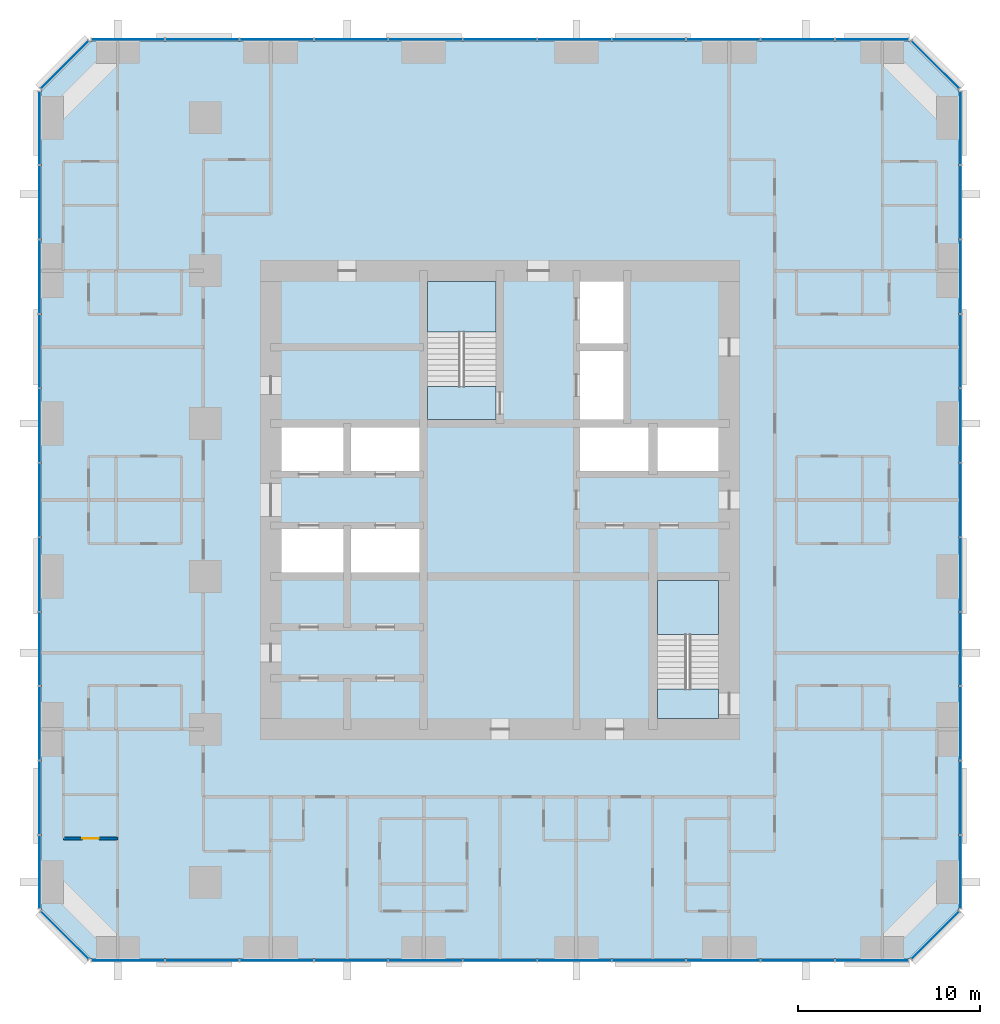
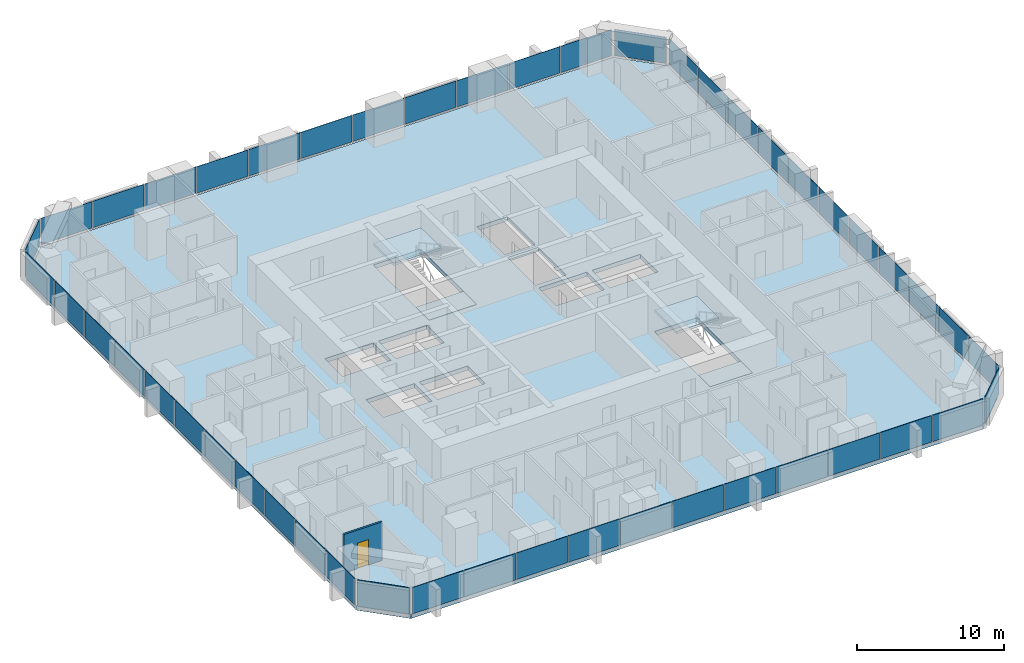
# One storey, part 7 of 13: 48 plates, 5 slabs, 1 door, 1 wall, 1 opening, 10 elements without a shape of their own.
"""IFC4 building model written with IfcOpenShell, lengths in metres."""

from ifc_helpers import new_model, si_unit, direction, frame, frame_2d, origin, origin_2d, place, context, subcontext, project, spatial, polyline, rectangle, outline, extrude, material, layer, layer_set, type_object, element, fill, aggregate, save


model = new_model("IFC4")

# Units and contexts
model_context = context("Model", 3, precision=1e-05, world=origin(), true_north=direction((0.0, 1.0)))
body_context = subcontext(model_context, "Body", "Model", "MODEL_VIEW")
ifc_project = project(units=[si_unit("LENGTHUNIT", "METRE"), si_unit("AREAUNIT", "SQUARE_METRE"), si_unit("VOLUMEUNIT", "CUBIC_METRE"), si_unit("PLANEANGLEUNIT", "RADIAN"), si_unit("MASSUNIT", "GRAM", prefix="KILO")], contexts=[model_context])

# Site, building, storey
site_placement = place(None, origin())
site = spatial("IfcSite", under=ifc_project, at=site_placement, CompositionType="ELEMENT")
building_placement = place(site_placement, origin())
building = spatial("IfcBuilding", under=site, at=building_placement, Name="Dunama Terrace Hotel", CompositionType="ELEMENT")
storey_placement = place(building_placement, frame((0.0, 0.0, 216.60009765625)))
storey = spatial("IfcBuildingStorey", under=building, at=storey_placement, Name="L56", CompositionType="ELEMENT", Elevation=216.60009765625)

# Curtain wall, plates
ifc_material_1 = material(Name="Aluminium curtain wall system", Category="aluminium")
curtain_wall_type = type_object("IfcCurtainWallType", Name="Unitised fritted glass wall CW-C", PredefinedType="NOTDEFINED", material=ifc_material_1)
curtain_wall_1_placement = place(storey_placement, origin())
curtain_wall_1 = element("IfcCurtainWall", 1, at=curtain_wall_1_placement, inside=storey, type_object=curtain_wall_type, Name="Unitised fritted glass wall CW-C L56", PredefinedType="NOTDEFINED")
ifc_material_2 = material(Name="Laminated glass", Category="glass")
ifc_layer_1 = layer(ifc_material_2, 0.031982421875)
ifc_layer_set_1 = layer_set([ifc_layer_1], Name="CWC clear glass panel")
plate_type_1 = type_object("IfcPlateType", Name="CWC clear glass panel", PredefinedType="CURTAIN_PANEL", material=ifc_layer_set_1)
plate_1_placement = place(storey_placement, frame((8.962890625, 4.10009765625, 0.080078125), z_axis=(0.0, 0.0, 1.0), x_axis=(1.0, 0.0, 0.0)))
plate_1 = element("IfcPlate", 2, at=plate_1_placement, type_object=plate_type_1, Name="CWC clear glass panel", PredefinedType="CURTAIN_PANEL", context=body_context, shape_type="SweptSolid", body=[
    extrude(rectangle(XDim=3.98583984375, YDim=0.031982421875, at=origin_2d()), origin(), (0.0, 0.0, 1.0), 2.198974609375),
])
plate_2_placement = place(storey_placement, frame((21.218017578125, 4.10009765625, 0.080078125), z_axis=(0.0, 0.0, 1.0), x_axis=(1.0, 0.0, 0.0)))
plate_2 = element("IfcPlate", 3, at=plate_2_placement, type_object=plate_type_1, Name="CWC clear glass panel", PredefinedType="CURTAIN_PANEL", context=body_context, shape_type="SweptSolid", body=[
    extrude(rectangle(XDim=4.02099609375, YDim=0.031982421875, at=origin_2d()), origin(), (0.0, 0.0, 1.0), 2.198974609375),
])
plate_3_placement = place(storey_placement, frame((33.490966796875, 4.10009765625, 0.080078125), z_axis=(0.0, 0.0, 1.0), x_axis=(1.0, 0.0, 0.0)))
plate_3 = element("IfcPlate", 4, at=plate_3_placement, type_object=plate_type_1, Name="CWC clear glass panel", PredefinedType="CURTAIN_PANEL", context=body_context, shape_type="SweptSolid", body=[
    extrude(rectangle(XDim=4.02099609375, YDim=0.031982421875, at=origin_2d()), origin(), (0.0, 0.0, 1.0), 2.198974609375),
])
plate_4_placement = place(storey_placement, frame((45.763916015625, 4.10009765625, 0.080078125), z_axis=(0.0, 0.0, 1.0), x_axis=(1.0, 0.0, 0.0)))
plate_4 = element("IfcPlate", 5, at=plate_4_placement, type_object=plate_type_1, Name="CWC clear glass panel", PredefinedType="CURTAIN_PANEL", context=body_context, shape_type="SweptSolid", body=[
    extrude(rectangle(XDim=4.02099609375, YDim=0.031982421875, at=origin_2d()), origin(), (0.0, 0.0, 1.0), 2.198974609375),
])

curtain_wall_2_placement = place(storey_placement, origin())
curtain_wall_2 = element("IfcCurtainWall", 6, at=curtain_wall_2_placement, inside=storey, type_object=curtain_wall_type, Name="Unitised fritted glass wall CW-C L56", PredefinedType="NOTDEFINED")
plate_5_placement = place(storey_placement, frame((54.699951171875, 8.962890625, 0.080078125), z_axis=(0.0, 0.0, 1.0), x_axis=(0.0, 1.0, 0.0)))
plate_5 = element("IfcPlate", 7, at=plate_5_placement, type_object=plate_type_1, Name="CWC clear glass panel", PredefinedType="CURTAIN_PANEL", context=body_context, shape_type="SweptSolid", body=[
    extrude(rectangle(XDim=3.98583984375, YDim=0.031982421875, at=origin_2d()), origin(), (0.0, 0.0, 1.0), 2.198974609375),
])
plate_6_placement = place(storey_placement, frame((54.699951171875, 21.218017578125, 0.080078125), z_axis=(0.0, 0.0, 1.0), x_axis=(0.0, 1.0, 0.0)))
plate_6 = element("IfcPlate", 8, at=plate_6_placement, type_object=plate_type_1, Name="CWC clear glass panel", PredefinedType="CURTAIN_PANEL", context=body_context, shape_type="SweptSolid", body=[
    extrude(rectangle(XDim=4.02099609375, YDim=0.031982421875, at=origin_2d()), origin(), (0.0, 0.0, 1.0), 2.198974609375),
])
plate_7_placement = place(storey_placement, frame((54.699951171875, 33.490966796875, 0.080078125), z_axis=(0.0, 0.0, 1.0), x_axis=(0.0, 1.0, 0.0)))
plate_7 = element("IfcPlate", 9, at=plate_7_placement, type_object=plate_type_1, Name="CWC clear glass panel", PredefinedType="CURTAIN_PANEL", context=body_context, shape_type="SweptSolid", body=[
    extrude(rectangle(XDim=4.02099609375, YDim=0.031982421875, at=origin_2d()), origin(), (0.0, 0.0, 1.0), 2.198974609375),
])
plate_8_placement = place(storey_placement, frame((54.699951171875, 45.763916015625, 0.080078125), z_axis=(0.0, 0.0, 1.0), x_axis=(0.0, 1.0, 0.0)))
plate_8 = element("IfcPlate", 10, at=plate_8_placement, type_object=plate_type_1, Name="CWC clear glass panel", PredefinedType="CURTAIN_PANEL", context=body_context, shape_type="SweptSolid", body=[
    extrude(rectangle(XDim=4.02099609375, YDim=0.031982421875, at=origin_2d()), origin(), (0.0, 0.0, 1.0), 2.198974609375),
])

curtain_wall_3_placement = place(storey_placement, origin())
curtain_wall_3 = element("IfcCurtainWall", 11, at=curtain_wall_3_placement, inside=storey, type_object=curtain_wall_type, Name="Unitised fritted glass wall CW-C L56", PredefinedType="NOTDEFINED")
plate_9_placement = place(storey_placement, frame((49.8369140625, 54.699951171875, 0.080078125), z_axis=(0.0, 0.0, 1.0), x_axis=(-1.0, 0.0, 0.0)))
plate_9 = element("IfcPlate", 12, at=plate_9_placement, type_object=plate_type_1, Name="CWC clear glass panel", PredefinedType="CURTAIN_PANEL", context=body_context, shape_type="SweptSolid", body=[
    extrude(rectangle(XDim=3.98583984375, YDim=0.031982421875, at=origin_2d()), origin(), (0.0, 0.0, 1.0), 2.198974609375),
])
plate_10_placement = place(storey_placement, frame((37.58203125, 54.699951171875, 0.080078125), z_axis=(0.0, 0.0, 1.0), x_axis=(-1.0, 0.0, 0.0)))
plate_10 = element("IfcPlate", 13, at=plate_10_placement, type_object=plate_type_1, Name="CWC clear glass panel", PredefinedType="CURTAIN_PANEL", context=body_context, shape_type="SweptSolid", body=[
    extrude(rectangle(XDim=4.02099609375, YDim=0.031982421875, at=origin_2d()), origin(), (0.0, 0.0, 1.0), 2.198974609375),
])
plate_11_placement = place(storey_placement, frame((25.30908203125, 54.699951171875, 0.080078125), z_axis=(0.0, 0.0, 1.0), x_axis=(-1.0, 0.0, 0.0)))
plate_11 = element("IfcPlate", 14, at=plate_11_placement, type_object=plate_type_1, Name="CWC clear glass panel", PredefinedType="CURTAIN_PANEL", context=body_context, shape_type="SweptSolid", body=[
    extrude(rectangle(XDim=4.02099609375, YDim=0.031982421875, at=origin_2d()), origin(), (0.0, 0.0, 1.0), 2.198974609375),
])
plate_12_placement = place(storey_placement, frame((13.035888671875, 54.699951171875, 0.080078125), z_axis=(0.0, 0.0, 1.0), x_axis=(-1.0, 0.0, 0.0)))
plate_12 = element("IfcPlate", 15, at=plate_12_placement, type_object=plate_type_1, Name="CWC clear glass panel", PredefinedType="CURTAIN_PANEL", context=body_context, shape_type="SweptSolid", body=[
    extrude(rectangle(XDim=4.02099609375, YDim=0.031982421875, at=origin_2d()), origin(), (0.0, 0.0, 1.0), 2.198974609375),
])

curtain_wall_4_placement = place(storey_placement, origin())
curtain_wall_4 = element("IfcCurtainWall", 16, at=curtain_wall_4_placement, inside=storey, type_object=curtain_wall_type, Name="Unitised fritted glass wall CW-C L56", PredefinedType="NOTDEFINED")
plate_13_placement = place(storey_placement, frame((4.10009765625, 49.8369140625, 0.080078125), z_axis=(0.0, 0.0, 1.0), x_axis=(0.0, -1.0, 0.0)))
plate_13 = element("IfcPlate", 17, at=plate_13_placement, type_object=plate_type_1, Name="CWC clear glass panel", PredefinedType="CURTAIN_PANEL", context=body_context, shape_type="SweptSolid", body=[
    extrude(rectangle(XDim=3.98583984375, YDim=0.031982421875, at=origin_2d()), origin(), (0.0, 0.0, 1.0), 2.198974609375),
])
plate_14_placement = place(storey_placement, frame((4.10009765625, 37.58203125, 0.080078125), z_axis=(0.0, 0.0, 1.0), x_axis=(0.0, -1.0, 0.0)))
plate_14 = element("IfcPlate", 18, at=plate_14_placement, type_object=plate_type_1, Name="CWC clear glass panel", PredefinedType="CURTAIN_PANEL", context=body_context, shape_type="SweptSolid", body=[
    extrude(rectangle(XDim=4.02099609375, YDim=0.031982421875, at=origin_2d()), origin(), (0.0, 0.0, 1.0), 2.198974609375),
])
plate_15_placement = place(storey_placement, frame((4.10009765625, 25.30908203125, 0.080078125), z_axis=(0.0, 0.0, 1.0), x_axis=(0.0, -1.0, 0.0)))
plate_15 = element("IfcPlate", 19, at=plate_15_placement, type_object=plate_type_1, Name="CWC clear glass panel", PredefinedType="CURTAIN_PANEL", context=body_context, shape_type="SweptSolid", body=[
    extrude(rectangle(XDim=4.02099609375, YDim=0.031982421875, at=origin_2d()), origin(), (0.0, 0.0, 1.0), 2.198974609375),
])
plate_16_placement = place(storey_placement, frame((4.10009765625, 13.035888671875, 0.080078125), z_axis=(0.0, 0.0, 1.0), x_axis=(0.0, -1.0, 0.0)))
plate_16 = element("IfcPlate", 20, at=plate_16_placement, type_object=plate_type_1, Name="CWC clear glass panel", PredefinedType="CURTAIN_PANEL", context=body_context, shape_type="SweptSolid", body=[
    extrude(rectangle(XDim=4.02099609375, YDim=0.031982421875, at=origin_2d()), origin(), (0.0, 0.0, 1.0), 2.198974609375),
])

# Plate
ifc_material_3 = material(Name="Fritted laminated glass", Category="glass")
ifc_layer_2 = layer(ifc_material_3, 0.031982421875)
ifc_layer_set_2 = layer_set([ifc_layer_2], Name="CWC fritted glass panel")
plate_type_2 = type_object("IfcPlateType", Name="CWC fritted glass panel", PredefinedType="CURTAIN_PANEL", material=ifc_layer_set_2)
plate_17_placement = place(storey_placement, frame((17.126953125, 4.10009765625, 0.080078125), z_axis=(0.0, 0.0, 1.0), x_axis=(1.0, 0.0, 0.0)))
plate_17 = element("IfcPlate", 21, at=plate_17_placement, type_object=plate_type_2, Name="CWC fritted glass panel", PredefinedType="CURTAIN_PANEL", context=body_context, shape_type="SweptSolid", body=[
    extrude(rectangle(XDim=4.02099609375, YDim=0.031982421875, at=origin_2d()), origin(), (0.0, 0.0, 1.0), 2.198974609375),
])

plate_18_placement = place(storey_placement, frame((29.39990234375, 4.10009765625, 0.080078125), z_axis=(0.0, 0.0, 1.0), x_axis=(1.0, 0.0, 0.0)))
plate_18 = element("IfcPlate", 22, at=plate_18_placement, type_object=plate_type_2, Name="CWC fritted glass panel", PredefinedType="CURTAIN_PANEL", context=body_context, shape_type="SweptSolid", body=[
    extrude(rectangle(XDim=4.02099609375, YDim=0.031982421875, at=origin_2d()), origin(), (0.0, 0.0, 1.0), 2.198974609375),
])

plate_19_placement = place(storey_placement, frame((41.673095703125, 4.10009765625, 0.080078125), z_axis=(0.0, 0.0, 1.0), x_axis=(1.0, 0.0, 0.0)))
plate_19 = element("IfcPlate", 23, at=plate_19_placement, type_object=plate_type_2, Name="CWC fritted glass panel", PredefinedType="CURTAIN_PANEL", context=body_context, shape_type="SweptSolid", body=[
    extrude(rectangle(XDim=4.02099609375, YDim=0.031982421875, at=origin_2d()), origin(), (0.0, 0.0, 1.0), 2.198974609375),
])

# Curtain wall, plate
curtain_wall_5_placement = place(storey_placement, origin())
curtain_wall_5 = element("IfcCurtainWall", 24, at=curtain_wall_5_placement, inside=storey, type_object=curtain_wall_type, Name="Unitised fritted glass wall CW-C L56", PredefinedType="NOTDEFINED")
plate_20_placement = place(storey_placement, frame((53.321044921875, 5.47900390625, 0.080078125), z_axis=(0.0, 0.0, 1.0), x_axis=(0.707106781187, 0.707106781187, 0.0)))
plate_20 = element("IfcPlate", 25, at=plate_20_placement, type_object=plate_type_2, Name="CWC fritted glass panel", PredefinedType="CURTAIN_PANEL", context=body_context, shape_type="SweptSolid", body=[
    extrude(rectangle(XDim=3.678466796875, YDim=0.031982421875, at=origin_2d()), origin(), (0.0, 0.0, 1.0), 2.198974609375),
])
aggregate(curtain_wall_5, [plate_20])

# Plate
plate_21_placement = place(storey_placement, frame((54.699951171875, 17.126953125, 0.080078125), z_axis=(0.0, 0.0, 1.0), x_axis=(0.0, 1.0, 0.0)))
plate_21 = element("IfcPlate", 26, at=plate_21_placement, type_object=plate_type_2, Name="CWC fritted glass panel", PredefinedType="CURTAIN_PANEL", context=body_context, shape_type="SweptSolid", body=[
    extrude(rectangle(XDim=4.02099609375, YDim=0.031982421875, at=origin_2d()), origin(), (0.0, 0.0, 1.0), 2.198974609375),
])

plate_22_placement = place(storey_placement, frame((54.699951171875, 29.39990234375, 0.080078125), z_axis=(0.0, 0.0, 1.0), x_axis=(0.0, 1.0, 0.0)))
plate_22 = element("IfcPlate", 27, at=plate_22_placement, type_object=plate_type_2, Name="CWC fritted glass panel", PredefinedType="CURTAIN_PANEL", context=body_context, shape_type="SweptSolid", body=[
    extrude(rectangle(XDim=4.02099609375, YDim=0.031982421875, at=origin_2d()), origin(), (0.0, 0.0, 1.0), 2.198974609375),
])

plate_23_placement = place(storey_placement, frame((54.699951171875, 41.673095703125, 0.080078125), z_axis=(0.0, 0.0, 1.0), x_axis=(0.0, 1.0, 0.0)))
plate_23 = element("IfcPlate", 28, at=plate_23_placement, type_object=plate_type_2, Name="CWC fritted glass panel", PredefinedType="CURTAIN_PANEL", context=body_context, shape_type="SweptSolid", body=[
    extrude(rectangle(XDim=4.02099609375, YDim=0.031982421875, at=origin_2d()), origin(), (0.0, 0.0, 1.0), 2.198974609375),
])

# Curtain wall, plate
curtain_wall_6_placement = place(storey_placement, origin())
curtain_wall_6 = element("IfcCurtainWall", 29, at=curtain_wall_6_placement, inside=storey, type_object=curtain_wall_type, Name="Unitised fritted glass wall CW-C L56", PredefinedType="NOTDEFINED")
plate_24_placement = place(storey_placement, frame((53.321044921875, 53.321044921875, 0.080078125), z_axis=(0.0, 0.0, 1.0), x_axis=(-0.707106781187, 0.707106781187, 0.0)))
plate_24 = element("IfcPlate", 30, at=plate_24_placement, type_object=plate_type_2, Name="CWC fritted glass panel", PredefinedType="CURTAIN_PANEL", context=body_context, shape_type="SweptSolid", body=[
    extrude(rectangle(XDim=3.678466796875, YDim=0.031982421875, at=origin_2d()), origin(), (0.0, 0.0, 1.0), 2.198974609375),
])
aggregate(curtain_wall_6, [plate_24])

# Plate
plate_25_placement = place(storey_placement, frame((41.673095703125, 54.699951171875, 0.080078125), z_axis=(0.0, 0.0, 1.0), x_axis=(-1.0, 0.0, 0.0)))
plate_25 = element("IfcPlate", 31, at=plate_25_placement, type_object=plate_type_2, Name="CWC fritted glass panel", PredefinedType="CURTAIN_PANEL", context=body_context, shape_type="SweptSolid", body=[
    extrude(rectangle(XDim=4.02099609375, YDim=0.031982421875, at=origin_2d()), origin(), (0.0, 0.0, 1.0), 2.198974609375),
])

plate_26_placement = place(storey_placement, frame((29.39990234375, 54.699951171875, 0.080078125), z_axis=(0.0, 0.0, 1.0), x_axis=(-1.0, 0.0, 0.0)))
plate_26 = element("IfcPlate", 32, at=plate_26_placement, type_object=plate_type_2, Name="CWC fritted glass panel", PredefinedType="CURTAIN_PANEL", context=body_context, shape_type="SweptSolid", body=[
    extrude(rectangle(XDim=4.02099609375, YDim=0.031982421875, at=origin_2d()), origin(), (0.0, 0.0, 1.0), 2.198974609375),
])

plate_27_placement = place(storey_placement, frame((17.126953125, 54.699951171875, 0.080078125), z_axis=(0.0, 0.0, 1.0), x_axis=(-1.0, 0.0, 0.0)))
plate_27 = element("IfcPlate", 33, at=plate_27_placement, type_object=plate_type_2, Name="CWC fritted glass panel", PredefinedType="CURTAIN_PANEL", context=body_context, shape_type="SweptSolid", body=[
    extrude(rectangle(XDim=4.02099609375, YDim=0.031982421875, at=origin_2d()), origin(), (0.0, 0.0, 1.0), 2.198974609375),
])

# Curtain wall, plate
curtain_wall_7_placement = place(storey_placement, origin())
curtain_wall_7 = element("IfcCurtainWall", 34, at=curtain_wall_7_placement, inside=storey, type_object=curtain_wall_type, Name="Unitised fritted glass wall CW-C L56", PredefinedType="NOTDEFINED")
plate_28_placement = place(storey_placement, frame((5.47900390625, 53.321044921875, 0.080078125), z_axis=(0.0, 0.0, 1.0), x_axis=(-0.707106781187, -0.707106781187, 0.0)))
plate_28 = element("IfcPlate", 35, at=plate_28_placement, type_object=plate_type_2, Name="CWC fritted glass panel", PredefinedType="CURTAIN_PANEL", context=body_context, shape_type="SweptSolid", body=[
    extrude(rectangle(XDim=3.678466796875, YDim=0.031982421875, at=origin_2d()), origin(), (0.0, 0.0, 1.0), 2.198974609375),
])
aggregate(curtain_wall_7, [plate_28])

# Plate
plate_29_placement = place(storey_placement, frame((4.10009765625, 41.673095703125, 0.080078125), z_axis=(0.0, 0.0, 1.0), x_axis=(0.0, -1.0, 0.0)))
plate_29 = element("IfcPlate", 36, at=plate_29_placement, type_object=plate_type_2, Name="CWC fritted glass panel", PredefinedType="CURTAIN_PANEL", context=body_context, shape_type="SweptSolid", body=[
    extrude(rectangle(XDim=4.02099609375, YDim=0.031982421875, at=origin_2d()), origin(), (0.0, 0.0, 1.0), 2.198974609375),
])

plate_30_placement = place(storey_placement, frame((4.10009765625, 29.39990234375, 0.080078125), z_axis=(0.0, 0.0, 1.0), x_axis=(0.0, -1.0, 0.0)))
plate_30 = element("IfcPlate", 37, at=plate_30_placement, type_object=plate_type_2, Name="CWC fritted glass panel", PredefinedType="CURTAIN_PANEL", context=body_context, shape_type="SweptSolid", body=[
    extrude(rectangle(XDim=4.02099609375, YDim=0.031982421875, at=origin_2d()), origin(), (0.0, 0.0, 1.0), 2.198974609375),
])

plate_31_placement = place(storey_placement, frame((4.10009765625, 17.126953125, 0.080078125), z_axis=(0.0, 0.0, 1.0), x_axis=(0.0, -1.0, 0.0)))
plate_31 = element("IfcPlate", 38, at=plate_31_placement, type_object=plate_type_2, Name="CWC fritted glass panel", PredefinedType="CURTAIN_PANEL", context=body_context, shape_type="SweptSolid", body=[
    extrude(rectangle(XDim=4.02099609375, YDim=0.031982421875, at=origin_2d()), origin(), (0.0, 0.0, 1.0), 2.198974609375),
])

# Curtain wall, plate
curtain_wall_8_placement = place(storey_placement, origin())
curtain_wall_8 = element("IfcCurtainWall", 39, at=curtain_wall_8_placement, inside=storey, type_object=curtain_wall_type, Name="Unitised fritted glass wall CW-C L56", PredefinedType="NOTDEFINED")
plate_32_placement = place(storey_placement, frame((5.47900390625, 5.47900390625, 0.080078125), z_axis=(0.0, 0.0, 1.0), x_axis=(0.707106781187, -0.707106781187, 0.0)))
plate_32 = element("IfcPlate", 40, at=plate_32_placement, type_object=plate_type_2, Name="CWC fritted glass panel", PredefinedType="CURTAIN_PANEL", context=body_context, shape_type="SweptSolid", body=[
    extrude(rectangle(XDim=3.678466796875, YDim=0.031982421875, at=origin_2d()), origin(), (0.0, 0.0, 1.0), 2.198974609375),
])
aggregate(curtain_wall_8, [plate_32])

# Plate
ifc_material_4 = material(Name="Laminated glass", Category="glass")
ifc_layer_3 = layer(ifc_material_4, 0.031982421875)
ifc_layer_set_3 = layer_set([ifc_layer_3], Name="CWC operable glass panel")
plate_type_3 = type_object("IfcPlateType", Name="CWC operable glass panel", PredefinedType="CURTAIN_PANEL", material=ifc_layer_set_3)
plate_33_placement = place(storey_placement, frame((13.035888671875, 4.10009765625, 0.080078125), z_axis=(0.0, 0.0, 1.0), x_axis=(1.0, 0.0, 0.0)))
plate_33 = element("IfcPlate", 41, at=plate_33_placement, type_object=plate_type_3, Name="CWC operable glass panel", PredefinedType="CURTAIN_PANEL", context=body_context, shape_type="SweptSolid", body=[
    extrude(rectangle(XDim=4.02099609375, YDim=0.031982421875, at=origin_2d()), origin(), (0.0, 0.0, 1.0), 2.198974609375),
])

plate_34_placement = place(storey_placement, frame((25.30908203125, 4.10009765625, 0.080078125), z_axis=(0.0, 0.0, 1.0), x_axis=(1.0, 0.0, 0.0)))
plate_34 = element("IfcPlate", 42, at=plate_34_placement, type_object=plate_type_3, Name="CWC operable glass panel", PredefinedType="CURTAIN_PANEL", context=body_context, shape_type="SweptSolid", body=[
    extrude(rectangle(XDim=4.02099609375, YDim=0.031982421875, at=origin_2d()), origin(), (0.0, 0.0, 1.0), 2.198974609375),
])

plate_35_placement = place(storey_placement, frame((37.58203125, 4.10009765625, 0.080078125), z_axis=(0.0, 0.0, 1.0), x_axis=(1.0, 0.0, 0.0)))
plate_35 = element("IfcPlate", 43, at=plate_35_placement, type_object=plate_type_3, Name="CWC operable glass panel", PredefinedType="CURTAIN_PANEL", context=body_context, shape_type="SweptSolid", body=[
    extrude(rectangle(XDim=4.02099609375, YDim=0.031982421875, at=origin_2d()), origin(), (0.0, 0.0, 1.0), 2.198974609375),
])

plate_36_placement = place(storey_placement, frame((49.8369140625, 4.10009765625, 0.080078125), z_axis=(0.0, 0.0, 1.0), x_axis=(1.0, 0.0, 0.0)))
plate_36 = element("IfcPlate", 44, at=plate_36_placement, type_object=plate_type_3, Name="CWC operable glass panel", PredefinedType="CURTAIN_PANEL", context=body_context, shape_type="SweptSolid", body=[
    extrude(rectangle(XDim=3.98583984375, YDim=0.031982421875, at=origin_2d()), origin(), (0.0, 0.0, 1.0), 2.198974609375),
])

aggregate(curtain_wall_1, [plate_1, plate_33, plate_17, plate_2, plate_34, plate_18, plate_3, plate_35, plate_19, plate_4, plate_36])

plate_37_placement = place(storey_placement, frame((54.699951171875, 13.035888671875, 0.080078125), z_axis=(0.0, 0.0, 1.0), x_axis=(0.0, 1.0, 0.0)))
plate_37 = element("IfcPlate", 45, at=plate_37_placement, type_object=plate_type_3, Name="CWC operable glass panel", PredefinedType="CURTAIN_PANEL", context=body_context, shape_type="SweptSolid", body=[
    extrude(rectangle(XDim=4.02099609375, YDim=0.031982421875, at=origin_2d()), origin(), (0.0, 0.0, 1.0), 2.198974609375),
])

plate_38_placement = place(storey_placement, frame((54.699951171875, 25.30908203125, 0.080078125), z_axis=(0.0, 0.0, 1.0), x_axis=(0.0, 1.0, 0.0)))
plate_38 = element("IfcPlate", 46, at=plate_38_placement, type_object=plate_type_3, Name="CWC operable glass panel", PredefinedType="CURTAIN_PANEL", context=body_context, shape_type="SweptSolid", body=[
    extrude(rectangle(XDim=4.02099609375, YDim=0.031982421875, at=origin_2d()), origin(), (0.0, 0.0, 1.0), 2.198974609375),
])

plate_39_placement = place(storey_placement, frame((54.699951171875, 37.58203125, 0.080078125), z_axis=(0.0, 0.0, 1.0), x_axis=(0.0, 1.0, 0.0)))
plate_39 = element("IfcPlate", 47, at=plate_39_placement, type_object=plate_type_3, Name="CWC operable glass panel", PredefinedType="CURTAIN_PANEL", context=body_context, shape_type="SweptSolid", body=[
    extrude(rectangle(XDim=4.02099609375, YDim=0.031982421875, at=origin_2d()), origin(), (0.0, 0.0, 1.0), 2.198974609375),
])

plate_40_placement = place(storey_placement, frame((54.699951171875, 49.8369140625, 0.080078125), z_axis=(0.0, 0.0, 1.0), x_axis=(0.0, 1.0, 0.0)))
plate_40 = element("IfcPlate", 48, at=plate_40_placement, type_object=plate_type_3, Name="CWC operable glass panel", PredefinedType="CURTAIN_PANEL", context=body_context, shape_type="SweptSolid", body=[
    extrude(rectangle(XDim=3.98583984375, YDim=0.031982421875, at=origin_2d()), origin(), (0.0, 0.0, 1.0), 2.198974609375),
])

aggregate(curtain_wall_2, [plate_5, plate_37, plate_21, plate_6, plate_38, plate_22, plate_7, plate_39, plate_23, plate_8, plate_40])

plate_41_placement = place(storey_placement, frame((45.763916015625, 54.699951171875, 0.080078125), z_axis=(0.0, 0.0, 1.0), x_axis=(-1.0, 0.0, 0.0)))
plate_41 = element("IfcPlate", 49, at=plate_41_placement, type_object=plate_type_3, Name="CWC operable glass panel", PredefinedType="CURTAIN_PANEL", context=body_context, shape_type="SweptSolid", body=[
    extrude(rectangle(XDim=4.02099609375, YDim=0.031982421875, at=origin_2d()), origin(), (0.0, 0.0, 1.0), 2.198974609375),
])

plate_42_placement = place(storey_placement, frame((33.490966796875, 54.699951171875, 0.080078125), z_axis=(0.0, 0.0, 1.0), x_axis=(-1.0, 0.0, 0.0)))
plate_42 = element("IfcPlate", 50, at=plate_42_placement, type_object=plate_type_3, Name="CWC operable glass panel", PredefinedType="CURTAIN_PANEL", context=body_context, shape_type="SweptSolid", body=[
    extrude(rectangle(XDim=4.02099609375, YDim=0.031982421875, at=origin_2d()), origin(), (0.0, 0.0, 1.0), 2.198974609375),
])

plate_43_placement = place(storey_placement, frame((21.218017578125, 54.699951171875, 0.080078125), z_axis=(0.0, 0.0, 1.0), x_axis=(-1.0, 0.0, 0.0)))
plate_43 = element("IfcPlate", 51, at=plate_43_placement, type_object=plate_type_3, Name="CWC operable glass panel", PredefinedType="CURTAIN_PANEL", context=body_context, shape_type="SweptSolid", body=[
    extrude(rectangle(XDim=4.02099609375, YDim=0.031982421875, at=origin_2d()), origin(), (0.0, 0.0, 1.0), 2.198974609375),
])

plate_44_placement = place(storey_placement, frame((8.962890625, 54.699951171875, 0.080078125), z_axis=(0.0, 0.0, 1.0), x_axis=(-1.0, 0.0, 0.0)))
plate_44 = element("IfcPlate", 52, at=plate_44_placement, type_object=plate_type_3, Name="CWC operable glass panel", PredefinedType="CURTAIN_PANEL", context=body_context, shape_type="SweptSolid", body=[
    extrude(rectangle(XDim=3.98583984375, YDim=0.031982421875, at=origin_2d()), origin(), (0.0, 0.0, 1.0), 2.198974609375),
])

aggregate(curtain_wall_3, [plate_9, plate_41, plate_25, plate_10, plate_42, plate_26, plate_11, plate_43, plate_27, plate_12, plate_44])

plate_45_placement = place(storey_placement, frame((4.10009765625, 45.763916015625, 0.080078125), z_axis=(0.0, 0.0, 1.0), x_axis=(0.0, -1.0, 0.0)))
plate_45 = element("IfcPlate", 53, at=plate_45_placement, type_object=plate_type_3, Name="CWC operable glass panel", PredefinedType="CURTAIN_PANEL", context=body_context, shape_type="SweptSolid", body=[
    extrude(rectangle(XDim=4.02099609375, YDim=0.031982421875, at=origin_2d()), origin(), (0.0, 0.0, 1.0), 2.198974609375),
])

plate_46_placement = place(storey_placement, frame((4.10009765625, 33.490966796875, 0.080078125), z_axis=(0.0, 0.0, 1.0), x_axis=(0.0, -1.0, 0.0)))
plate_46 = element("IfcPlate", 54, at=plate_46_placement, type_object=plate_type_3, Name="CWC operable glass panel", PredefinedType="CURTAIN_PANEL", context=body_context, shape_type="SweptSolid", body=[
    extrude(rectangle(XDim=4.02099609375, YDim=0.031982421875, at=origin_2d()), origin(), (0.0, 0.0, 1.0), 2.198974609375),
])

plate_47_placement = place(storey_placement, frame((4.10009765625, 21.218017578125, 0.080078125), z_axis=(0.0, 0.0, 1.0), x_axis=(0.0, -1.0, 0.0)))
plate_47 = element("IfcPlate", 55, at=plate_47_placement, type_object=plate_type_3, Name="CWC operable glass panel", PredefinedType="CURTAIN_PANEL", context=body_context, shape_type="SweptSolid", body=[
    extrude(rectangle(XDim=4.02099609375, YDim=0.031982421875, at=origin_2d()), origin(), (0.0, 0.0, 1.0), 2.198974609375),
])

plate_48_placement = place(storey_placement, frame((4.10009765625, 8.962890625, 0.080078125), z_axis=(0.0, 0.0, 1.0), x_axis=(0.0, -1.0, 0.0)))
plate_48 = element("IfcPlate", 56, at=plate_48_placement, type_object=plate_type_3, Name="CWC operable glass panel", PredefinedType="CURTAIN_PANEL", context=body_context, shape_type="SweptSolid", body=[
    extrude(rectangle(XDim=3.98583984375, YDim=0.031982421875, at=origin_2d()), origin(), (0.0, 0.0, 1.0), 2.198974609375),
])

aggregate(curtain_wall_4, [plate_13, plate_45, plate_29, plate_14, plate_46, plate_30, plate_15, plate_47, plate_31, plate_16, plate_48])

# Slab
ifc_material_5 = material(Name="Concrete C40/50", Category="concrete")
ifc_layer_4 = layer(ifc_material_5, 0.35009765625)
ifc_layer_set_4 = layer_set([ifc_layer_4], Name="Flat plate 350")
slab_type_1 = type_object("IfcSlabType", Name="Flat plate 350", PredefinedType="FLOOR", material=ifc_layer_set_4)
slab_1_placement = place(storey_placement, frame((0.0, 0.0, -0.35009765625)))
element("IfcSlab", 57, at=slab_1_placement, inside=storey, type_object=slab_type_1, Name="Floor slab L56", PredefinedType="FLOOR", context=body_context, shape_type="SweptSolid", body=[
    extrude(outline(polyline([(6.89990234375, 4.199951171875), (51.89990234375, 4.199951171875), (54.60009765625, 6.89990234375), (54.60009765625, 51.89990234375), (51.89990234375, 54.60009765625), (6.89990234375, 54.60009765625), (4.199951171875, 51.89990234375), (4.199951171875, 6.89990234375), (6.89990234375, 4.199951171875)]), holes=[polyline([(20.800048828125, 25.39990234375), (20.800048828125, 27.800048828125), (17.0, 27.800048828125), (17.0, 25.39990234375), (20.800048828125, 25.39990234375)]), polyline([(25.0, 25.39990234375), (25.0, 27.800048828125), (21.199951171875, 27.800048828125), (21.199951171875, 25.39990234375), (25.0, 25.39990234375)]), polyline([(20.800048828125, 31.0), (20.800048828125, 33.39990234375), (17.0, 33.39990234375), (17.0, 31.0), (20.800048828125, 31.0)]), polyline([(25.0, 31.0), (25.0, 33.39990234375), (21.199951171875, 33.39990234375), (21.199951171875, 31.0), (25.0, 31.0)]), polyline([(37.60009765625, 31.0), (37.60009765625, 33.39990234375), (33.800048828125, 33.39990234375), (33.800048828125, 31.0), (37.60009765625, 31.0)]), polyline([(41.800048828125, 31.0), (41.800048828125, 33.39990234375), (38.0, 33.39990234375), (38.0, 31.0), (41.800048828125, 31.0)]), polyline([(36.199951171875, 38.0), (36.199951171875, 41.800048828125), (33.800048828125, 41.800048828125), (33.800048828125, 38.0), (36.199951171875, 38.0)]), polyline([(36.199951171875, 33.800048828125), (36.199951171875, 37.60009765625), (33.800048828125, 37.60009765625), (33.800048828125, 33.800048828125), (36.199951171875, 33.800048828125)]), polyline([(29.175048828125, 33.824951171875), (29.175048828125, 41.39990234375), (25.425048828125, 41.39990234375), (25.425048828125, 33.824951171875), (29.175048828125, 33.824951171875)]), polyline([(41.39990234375, 17.39990234375), (41.39990234375, 24.97509765625), (38.050048828125, 24.97509765625), (38.050048828125, 17.39990234375), (41.39990234375, 17.39990234375)])]), origin(), (0.0, 0.0, 1.0), 0.35009765625),
])

# Stair, slabs
ifc_material_6 = material(Name="Concrete C40/50", Category="concrete")
stair_type_1 = type_object("IfcStairType", Name="Stair ST1-3600-1800", PredefinedType="HALF_TURN_STAIR", material=ifc_material_6)
stair_1_placement = place(storey_placement, origin())
stair_1 = element("IfcStair", 58, at=stair_1_placement, inside=storey, type_object=stair_type_1, Name="Stair ST1 L56", PredefinedType="HALF_TURN_STAIR")
ifc_material_7 = material(Name="Concrete C40/50", Category="concrete")
ifc_layer_5 = layer(ifc_material_7, 0.199951171875)
ifc_layer_set_5 = layer_set([ifc_layer_5], Name="Stair landing 200")
slab_type_2 = type_object("IfcSlabType", Name="Stair landing 200", PredefinedType="LANDING", material=ifc_layer_set_5)
slab_2_placement = place(storey_placement, frame((0.0, 0.0, -0.2001953125)))
slab_2 = element("IfcSlab", 59, at=slab_2_placement, type_object=slab_type_2, Name="ST1 landing 1, type S10", PredefinedType="LANDING", context=body_context, shape_type="SweptSolid", body=[
    extrude(outline(polyline([(25.425048828125, 33.824951171875), (29.175048828125, 33.824951171875), (29.175048828125, 35.625), (25.425048828125, 35.625), (25.425048828125, 33.824951171875)])), origin(), (0.0, 0.0, 1.0), 0.2001953125),
])
slab_3_placement = place(storey_placement, frame((0.0, 0.0, 1.599853515625)))
slab_3 = element("IfcSlab", 60, at=slab_3_placement, type_object=slab_type_2, Name="ST1 landing 2, type S10", PredefinedType="LANDING", context=body_context, shape_type="SweptSolid", body=[
    extrude(outline(polyline([(25.425048828125, 38.625), (29.175048828125, 38.625), (29.175048828125, 41.39990234375), (25.425048828125, 41.39990234375), (25.425048828125, 38.625)])), origin(), (0.0, 0.0, 1.0), 0.199951171875),
])
aggregate(stair_1, [slab_2, slab_3])

ifc_material_8 = material(Name="Concrete C40/50", Category="concrete")
stair_type_2 = type_object("IfcStairType", Name="Stair ST2-3600-1600", PredefinedType="HALF_TURN_STAIR", material=ifc_material_8)
stair_2_placement = place(storey_placement, origin())
stair_2 = element("IfcStair", 61, at=stair_2_placement, inside=storey, type_object=stair_type_2, Name="Stair ST2 L56", PredefinedType="HALF_TURN_STAIR")
slab_4_placement = place(storey_placement, frame((0.0, 0.0, -0.2001953125)))
slab_4 = element("IfcSlab", 62, at=slab_4_placement, type_object=slab_type_2, Name="ST2 landing 1, type S10", PredefinedType="LANDING", context=body_context, shape_type="SweptSolid", body=[
    extrude(outline(polyline([(38.050048828125, 17.39990234375), (41.39990234375, 17.39990234375), (41.39990234375, 19.0), (38.050048828125, 19.0), (38.050048828125, 17.39990234375)])), origin(), (0.0, 0.0, 1.0), 0.2001953125),
])
slab_5_placement = place(storey_placement, frame((0.0, 0.0, 1.599853515625)))
slab_5 = element("IfcSlab", 63, at=slab_5_placement, type_object=slab_type_2, Name="ST2 landing 2, type S10", PredefinedType="LANDING", context=body_context, shape_type="SweptSolid", body=[
    extrude(outline(polyline([(38.050048828125, 22.0), (41.39990234375, 22.0), (41.39990234375, 24.97509765625), (38.050048828125, 24.97509765625), (38.050048828125, 22.0)])), origin(), (0.0, 0.0, 1.0), 0.199951171875),
])
aggregate(stair_2, [slab_4, slab_5])

# Wall, opening, door
ifc_material_9 = material(Name="Gypsum board partition", Category="masonry")
ifc_layer_6 = layer(ifc_material_9, 0.14990234375)
ifc_layer_set_6 = layer_set([ifc_layer_6], Name="Room partition 150")
wall_type = type_object("IfcWallType", Name="Room partition 150", PredefinedType="PARTITIONING", material=ifc_layer_set_6)
wall_placement = place(storey_placement, frame((5.39990234375, 10.800048828125, 0.0), z_axis=(0.0, 0.0, 1.0), x_axis=(1.0, 0.0, 0.0)))
wall = element("IfcWall", 64, at=wall_placement, inside=storey, type_object=wall_type, Name="Room partition 150 L56", PredefinedType="PARTITIONING", context=body_context, shape_type="SweptSolid", body=[
    extrude(rectangle(XDim=3.0, YDim=0.14990234375, at=frame_2d((1.5, 0.0))), origin(), (0.0, 0.0, 1.0), 3.199951171875),
])
opening_placement = place(wall_placement, frame((1.050048828125, 0.0, 0.0)))
opening = element("IfcOpeningElement", 65, at=opening_placement, cuts=wall, Name="Opening L56-052", PredefinedType="OPENING", context=body_context, shape_type="SweptSolid", body=[
    extrude(rectangle(XDim=0.89990234375, YDim=2.10009765625, at=frame_2d((0.449951171875, 1.050048828125))), frame((0.0, 0.0849609375, 0.0), z_axis=(0.0, -1.0, 0.0), x_axis=(1.0, 0.0, 0.0)), (0.0, 0.0, 1.0), 0.169921875),
])
ifc_material_10 = material(Name="Timber door with steel frame", Category="steel")
door_type = type_object("IfcDoorType", Name="Suite internal door 900", OperationType="SINGLE_SWING_LEFT", PredefinedType="DOOR", material=ifc_material_10)
door_placement = place(opening_placement, origin())
door = element("IfcDoor", 66, at=door_placement, inside=storey, type_object=door_type, Name="Door to dressing room L56-052, type D16", OperationType="SINGLE_SWING_LEFT", OverallHeight=2.10009765625, OverallWidth=0.89990234375, PredefinedType="DOOR", context=body_context, shape_type="SweptSolid", body=[
    extrude(rectangle(XDim=0.89990234375, YDim=2.10009765625, at=frame_2d((0.449951171875, 1.050048828125))), frame((0.0, 0.02490234375, 0.0), z_axis=(0.0, -1.0, 0.0), x_axis=(1.0, 0.0, 0.0)), (0.0, 0.0, 1.0), 0.050048828125),
])
fill(opening, door)

save(model, "model.ifc")
